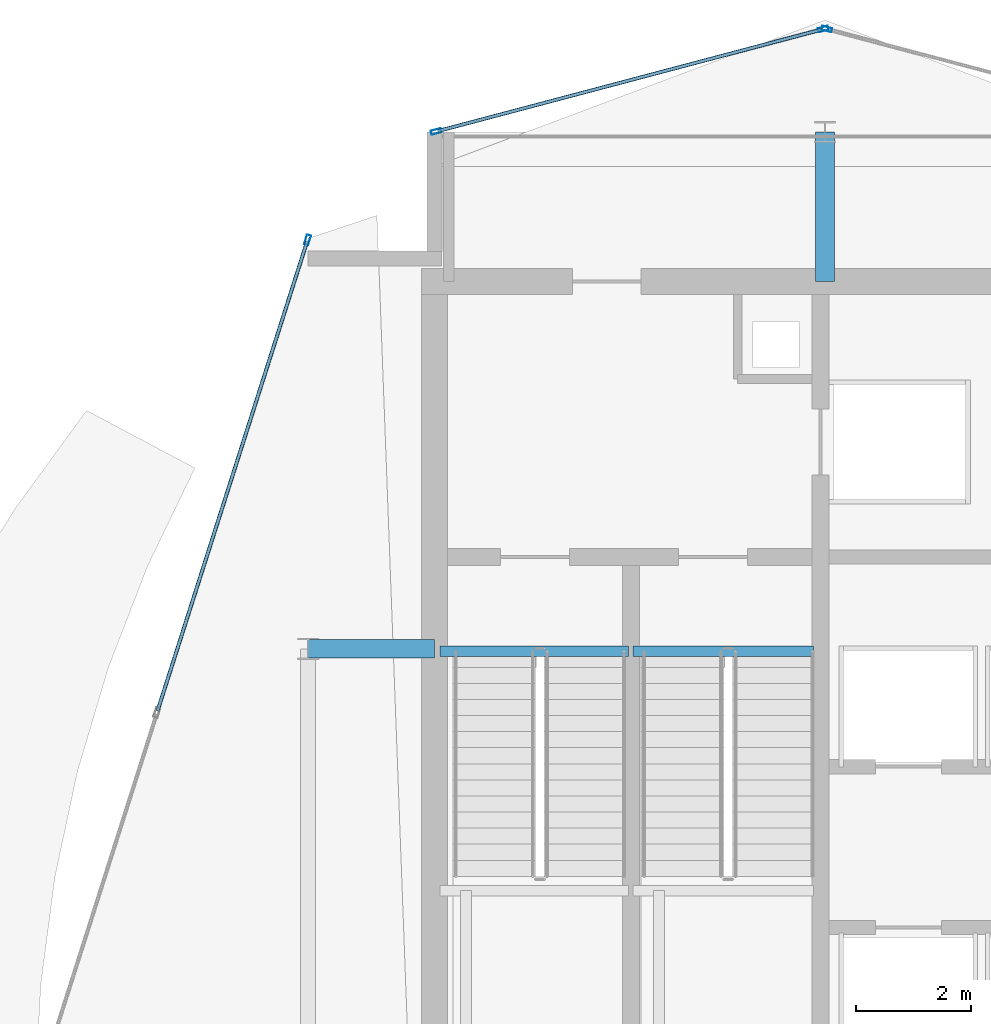
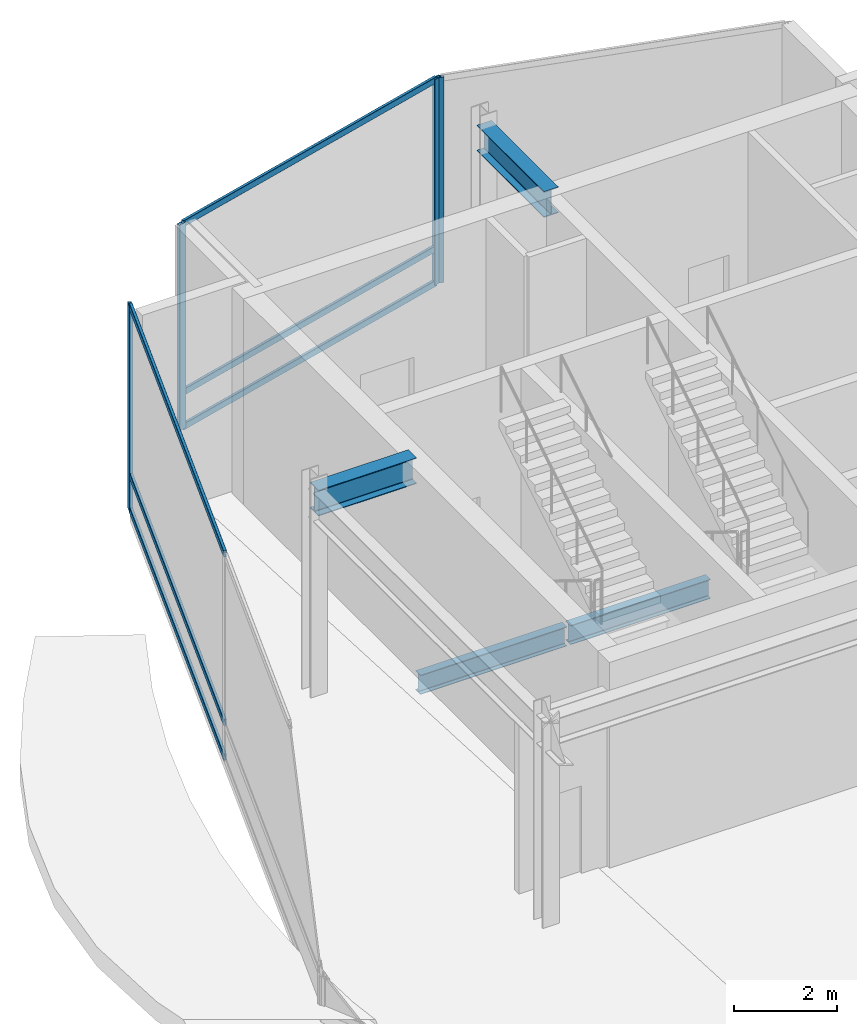
# One storey, part 13 of 21: 10 members, 4 beams, 3 elements without a shape of their own.
"""IFC4 building model written with IfcOpenShell, lengths in metres."""

from ifc_helpers import new_model, si_unit, direction, frame, origin, origin_2d, place, context, subcontext, project, spatial, hollow_rectangle, i_section, extrude, material, layer, layer_set, material_profile, profile_set, type_object, element, aggregate, save


model = new_model("IFC4")

# Units and contexts
model_context = context("Model", 3, precision=1e-05, world=origin(), true_north=direction((0.0, 1.0)))
body_context = subcontext(model_context, "Body", "Model", "MODEL_VIEW")
ifc_project = project(units=[si_unit("LENGTHUNIT", "METRE"), si_unit("AREAUNIT", "SQUARE_METRE"), si_unit("VOLUMEUNIT", "CUBIC_METRE"), si_unit("PLANEANGLEUNIT", "RADIAN"), si_unit("MASSUNIT", "GRAM", prefix="KILO")], contexts=[model_context])

# Site, building, storey
site_placement = place(None, origin())
site = spatial("IfcSite", under=ifc_project, at=site_placement, CompositionType="ELEMENT")
building_placement = place(site_placement, origin())
building = spatial("IfcBuilding", under=site, at=building_placement, Name="Solvaryn Broadcast Tower", CompositionType="ELEMENT")
storey_placement = place(building_placement, frame((0.0, 0.0, 297.39990234375)))
storey = spatial("IfcBuildingStorey", under=building, at=storey_placement, Name="L75", CompositionType="ELEMENT", Elevation=297.39990234375)

# Beams
ifc_material_1 = material(Name="Steel ASTM A992 Grade 50", Category="steel")
ifc_material_profile_1 = material_profile(ifc_material_1, i_section(OverallWidth=0.323974609375, OverallDepth=0.611083984375, WebThickness=0.0126953125, FlangeThickness=0.01904296875, FilletRadius=0.014892578125, at=origin_2d()))
ifc_profile_set_1 = profile_set([ifc_material_profile_1], Name="Steel ASTM A992 Grade 50")
beam_type_1 = type_object("IfcBeamType", Name="BM-B1-W24X104", PredefinedType="BEAM", material=ifc_profile_set_1)
beam_1_placement = place(storey_placement, frame((9.0, 36.0, 4.564697265625), z_axis=(1.0, 0.0, 0.0), x_axis=(0.0, 1.0, 0.0)))
element("IfcBeam", 1, at=beam_1_placement, inside=storey, type_object=beam_type_1, Name="L75 Core Tie Beam CTW1", PredefinedType="BEAM", context=body_context, shape_type="SweptSolid", body=[
    extrude(i_section(OverallWidth=0.323974609375, OverallDepth=0.611083984375, WebThickness=0.0126953125, FlangeThickness=0.01904296875, FilletRadius=0.014892578125, at=origin_2d()), origin(), (0.0, 0.0, 1.0), 2.199951171875),
])
beam_2_placement = place(storey_placement, frame((18.0, 42.39990234375, 4.564697265625), z_axis=(0.0, 1.0, 0.0), x_axis=(-1.0, 0.0, 0.0)))
element("IfcBeam", 2, at=beam_2_placement, inside=storey, type_object=beam_type_1, Name="L75 Core Tie Beam CTW3", PredefinedType="BEAM", context=body_context, shape_type="SweptSolid", body=[
    extrude(i_section(OverallWidth=0.323974609375, OverallDepth=0.611083984375, WebThickness=0.0126953125, FlangeThickness=0.01904296875, FilletRadius=0.014892578125, at=origin_2d()), origin(), (0.0, 0.0, 1.0), 2.60009765625),
])
ifc_material_2 = material(Name="Steel ASTM A992 Grade 50", Category="steel")
ifc_material_profile_2 = material_profile(ifc_material_2, i_section(OverallWidth=0.18994140625, OverallDepth=0.45703125, WebThickness=0.009033203125, FlangeThickness=0.014404296875, FilletRadius=0.011962890625, at=origin_2d()))
ifc_profile_set_2 = profile_set([ifc_material_profile_2], Name="Steel ASTM A992 Grade 50")
beam_type_2 = type_object("IfcBeamType", Name="BM-B4-W18X50", PredefinedType="BEAM", material=ifc_profile_set_2)
beam_3_placement = place(storey_placement, frame((11.300048828125, 35.9599609375, -0.558349609375), z_axis=(1.0, 0.0, 0.0), x_axis=(0.0, 1.0, 0.0)))
element("IfcBeam", 3, at=beam_3_placement, inside=storey, type_object=beam_type_2, Name="L75 ST1 Stair Well Trimmer Beam", PredefinedType="BEAM", context=body_context, shape_type="SweptSolid", body=[
    extrude(i_section(OverallWidth=0.18994140625, OverallDepth=0.45703125, WebThickness=0.009033203125, FlangeThickness=0.014404296875, FilletRadius=0.011962890625, at=origin_2d()), origin(), (0.0, 0.0, 1.0), 3.280029296875),
])
beam_4_placement = place(storey_placement, frame((14.659912109375, 35.9599609375, -0.558349609375), z_axis=(1.0, 0.0, 0.0), x_axis=(0.0, 1.0, 0.0)))
element("IfcBeam", 4, at=beam_4_placement, inside=storey, type_object=beam_type_2, Name="L75 ST2 Stair Well Trimmer Beam", PredefinedType="BEAM", context=body_context, shape_type="SweptSolid", body=[
    extrude(i_section(OverallWidth=0.18994140625, OverallDepth=0.45703125, WebThickness=0.009033203125, FlangeThickness=0.014404296875, FilletRadius=0.011962890625, at=origin_2d()), origin(), (0.0, 0.0, 1.0), 3.14013671875),
])

# Curtain wall, member
ifc_material_3 = material(Name="Aluminium and Terracotta Unitised Curtain Wall", Category="masonry")
ifc_layer = layer(ifc_material_3, 0.260009765625)
ifc_layer_set = layer_set([ifc_layer], Name="CW-SYS5-DAMPER")
curtain_wall_type = type_object("IfcCurtainWallType", Name="CW-SYS5-DAMPER", PredefinedType="NOTDEFINED", material=ifc_layer_set)
curtain_wall_1_placement = place(storey_placement, origin())
curtain_wall_1 = element("IfcCurtainWall", 5, at=curtain_wall_1_placement, inside=storey, type_object=curtain_wall_type, Name="L75 Curtain Wall DR1", PredefinedType="NOTDEFINED")
ifc_material_4 = material(Name="Anodised Aluminium 6063-T6", Category="aluminium")
ifc_material_profile_3 = material_profile(ifc_material_4, hollow_rectangle(XDim=0.074951171875, YDim=0.179931640625, WallThickness=0.00390625, InnerFilletRadius=0.00390625, OuterFilletRadius=0.008056640625, at=origin_2d()))
ifc_profile_set_3 = profile_set([ifc_material_profile_3], Name="Anodised Aluminium 6063-T6")
member_type_1 = type_object("IfcMemberType", Name="CW-MUL-180", PredefinedType="MULLION", material=ifc_profile_set_3)
member_1_placement = place(storey_placement, frame((8.990966796875, 43.120361328125, 0.0), z_axis=(0.0, 0.0, 1.0), x_axis=(0.952794594701, -0.30361564569, 0.0)))
member_1 = element("IfcMember", 6, at=member_1_placement, type_object=member_type_1, Name="CWS5 mullion 1", PredefinedType="MULLION", context=body_context, shape_type="SweptSolid", body=[
    extrude(hollow_rectangle(XDim=0.074951171875, YDim=0.179931640625, WallThickness=0.00390625, InnerFilletRadius=0.00390625, OuterFilletRadius=0.008056640625, at=origin_2d()), origin(), (0.0, 0.0, 1.0), 4.8701171875),
])

curtain_wall_2_placement = place(storey_placement, origin())
curtain_wall_2 = element("IfcCurtainWall", 7, at=curtain_wall_2_placement, inside=storey, type_object=curtain_wall_type, Name="L75 Curtain Wall NT1", PredefinedType="NOTDEFINED")
member_2_placement = place(storey_placement, frame((18.029052734375, 46.792236328125, 0.0), z_axis=(0.0, 0.0, 1.0), x_axis=(-0.25589256031, -0.966705227863, 0.0)))
member_2 = element("IfcMember", 8, at=member_2_placement, type_object=member_type_1, Name="CWS5 mullion 2", PredefinedType="MULLION", context=body_context, shape_type="SweptSolid", body=[
    extrude(hollow_rectangle(XDim=0.074951171875, YDim=0.179931640625, WallThickness=0.00390625, InnerFilletRadius=0.00390625, OuterFilletRadius=0.008056640625, at=origin_2d()), origin(), (0.0, 0.0, 1.0), 4.8701171875),
])
aggregate(curtain_wall_2, [member_2])

# Curtain wall, members
curtain_wall_3_placement = place(storey_placement, origin())
curtain_wall_3 = element("IfcCurtainWall", 9, at=curtain_wall_3_placement, inside=storey, type_object=curtain_wall_type, Name="L75 Curtain Wall NT2", PredefinedType="NOTDEFINED")
member_3_placement = place(storey_placement, frame((17.970947265625, 46.792236328125, 0.0), z_axis=(0.0, 0.0, 1.0), x_axis=(0.25589256031, -0.966705227863, 0.0)))
member_3 = element("IfcMember", 10, at=member_3_placement, type_object=member_type_1, Name="CWS5 mullion 1", PredefinedType="MULLION", context=body_context, shape_type="SweptSolid", body=[
    extrude(hollow_rectangle(XDim=0.074951171875, YDim=0.179931640625, WallThickness=0.00390625, InnerFilletRadius=0.00390625, OuterFilletRadius=0.008056640625, at=origin_2d()), origin(), (0.0, 0.0, 1.0), 4.8701171875),
])
member_4_placement = place(storey_placement, frame((11.22900390625, 45.007568359375, 0.0), z_axis=(0.0, 0.0, 1.0), x_axis=(0.25589256031, -0.966705227863, 0.0)))
member_4 = element("IfcMember", 11, at=member_4_placement, type_object=member_type_1, Name="CWS5 mullion 2", PredefinedType="MULLION", context=body_context, shape_type="SweptSolid", body=[
    extrude(hollow_rectangle(XDim=0.074951171875, YDim=0.179931640625, WallThickness=0.00390625, InnerFilletRadius=0.00390625, OuterFilletRadius=0.008056640625, at=origin_2d()), origin(), (0.0, 0.0, 1.0), 4.8701171875),
])

# Member
ifc_material_5 = material(Name="Anodised Aluminium 6063-T6", Category="aluminium")
ifc_material_profile_4 = material_profile(ifc_material_5, hollow_rectangle(XDim=0.06494140625, YDim=0.14990234375, WallThickness=0.00390625, InnerFilletRadius=0.00390625, OuterFilletRadius=0.008056640625, at=origin_2d()))
ifc_profile_set_4 = profile_set([ifc_material_profile_4], Name="Anodised Aluminium 6063-T6")
member_type_2 = type_object("IfcMemberType", Name="CW-TRN-150", PredefinedType="USERDEFINED", material=ifc_profile_set_4)
member_5_placement = place(storey_placement, frame((8.981689453125, 43.091796875, 0.030029296875), z_axis=(-0.303601994388, -0.952798944691, 0.0), x_axis=(0.952798944691, -0.303601994388, 0.0)))
member_5 = element("IfcMember", 12, at=member_5_placement, type_object=member_type_2, Name="CWS5 transom 1.1", ObjectType="TRANSOM", PredefinedType="USERDEFINED", context=body_context, shape_type="SweptSolid", body=[
    extrude(hollow_rectangle(XDim=0.06494140625, YDim=0.14990234375, WallThickness=0.00390625, InnerFilletRadius=0.00390625, OuterFilletRadius=0.008056640625, at=origin_2d()), origin(), (0.0, 0.0, 1.0), 8.575439453125),
])

member_6_placement = place(storey_placement, frame((8.981689453125, 43.091796875, 0.85009765625), z_axis=(-0.303601994388, -0.952798944691, 0.0), x_axis=(0.952798944691, -0.303601994388, 0.0)))
member_6 = element("IfcMember", 13, at=member_6_placement, type_object=member_type_2, Name="CWS5 transom 1.2", ObjectType="TRANSOM", PredefinedType="USERDEFINED", context=body_context, shape_type="SweptSolid", body=[
    extrude(hollow_rectangle(XDim=0.06494140625, YDim=0.14990234375, WallThickness=0.00390625, InnerFilletRadius=0.00390625, OuterFilletRadius=0.008056640625, at=origin_2d()), origin(), (0.0, 0.0, 1.0), 8.575439453125),
])

member_7_placement = place(storey_placement, frame((8.981689453125, 43.091796875, 4.840087890625), z_axis=(-0.303601994388, -0.952798944691, 0.0), x_axis=(0.952798944691, -0.303601994388, 0.0)))
member_7 = element("IfcMember", 14, at=member_7_placement, type_object=member_type_2, Name="CWS5 transom 1.3", ObjectType="TRANSOM", PredefinedType="USERDEFINED", context=body_context, shape_type="SweptSolid", body=[
    extrude(hollow_rectangle(XDim=0.06494140625, YDim=0.14990234375, WallThickness=0.00390625, InnerFilletRadius=0.00390625, OuterFilletRadius=0.008056640625, at=origin_2d()), origin(), (0.0, 0.0, 1.0), 8.575439453125),
])

aggregate(curtain_wall_1, [member_1, member_5, member_6, member_7])

member_8_placement = place(storey_placement, frame((17.94189453125, 46.78466796875, 0.030029296875), z_axis=(-0.966703943301, -0.255897413051, 0.0), x_axis=(0.255897413051, -0.966703943301, 0.0)))
member_8 = element("IfcMember", 15, at=member_8_placement, type_object=member_type_2, Name="CWS5 transom 1.1", ObjectType="TRANSOM", PredefinedType="USERDEFINED", context=body_context, shape_type="SweptSolid", body=[
    extrude(hollow_rectangle(XDim=0.06494140625, YDim=0.14990234375, WallThickness=0.00390625, InnerFilletRadius=0.00390625, OuterFilletRadius=0.008056640625, at=origin_2d()), origin(), (0.0, 0.0, 1.0), 6.9140625),
])

member_9_placement = place(storey_placement, frame((17.94189453125, 46.78466796875, 0.85009765625), z_axis=(-0.966703943301, -0.255897413051, 0.0), x_axis=(0.255897413051, -0.966703943301, 0.0)))
member_9 = element("IfcMember", 16, at=member_9_placement, type_object=member_type_2, Name="CWS5 transom 1.2", ObjectType="TRANSOM", PredefinedType="USERDEFINED", context=body_context, shape_type="SweptSolid", body=[
    extrude(hollow_rectangle(XDim=0.06494140625, YDim=0.14990234375, WallThickness=0.00390625, InnerFilletRadius=0.00390625, OuterFilletRadius=0.008056640625, at=origin_2d()), origin(), (0.0, 0.0, 1.0), 6.9140625),
])

member_10_placement = place(storey_placement, frame((17.94189453125, 46.78466796875, 4.840087890625), z_axis=(-0.966703943301, -0.255897413051, 0.0), x_axis=(0.255897413051, -0.966703943301, 0.0)))
member_10 = element("IfcMember", 17, at=member_10_placement, type_object=member_type_2, Name="CWS5 transom 1.3", ObjectType="TRANSOM", PredefinedType="USERDEFINED", context=body_context, shape_type="SweptSolid", body=[
    extrude(hollow_rectangle(XDim=0.06494140625, YDim=0.14990234375, WallThickness=0.00390625, InnerFilletRadius=0.00390625, OuterFilletRadius=0.008056640625, at=origin_2d()), origin(), (0.0, 0.0, 1.0), 6.9140625),
])

aggregate(curtain_wall_3, [member_3, member_4, member_8, member_9, member_10])

save(model, "model.ifc")
